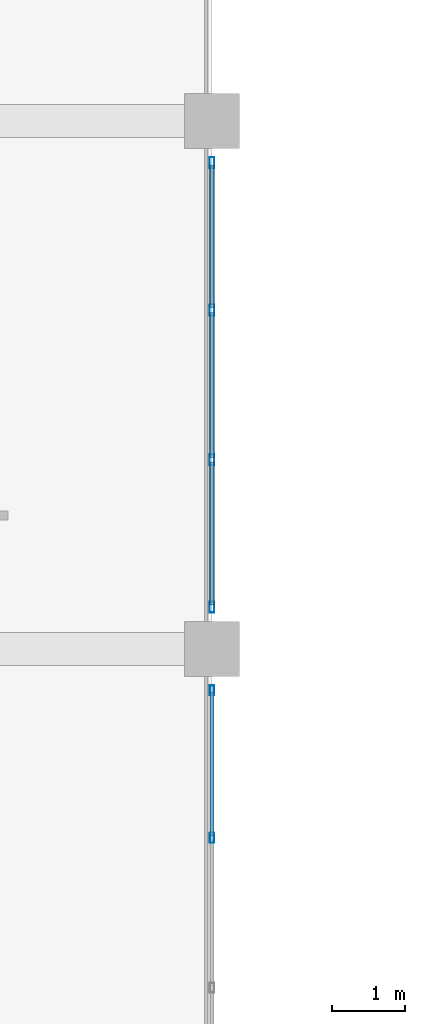
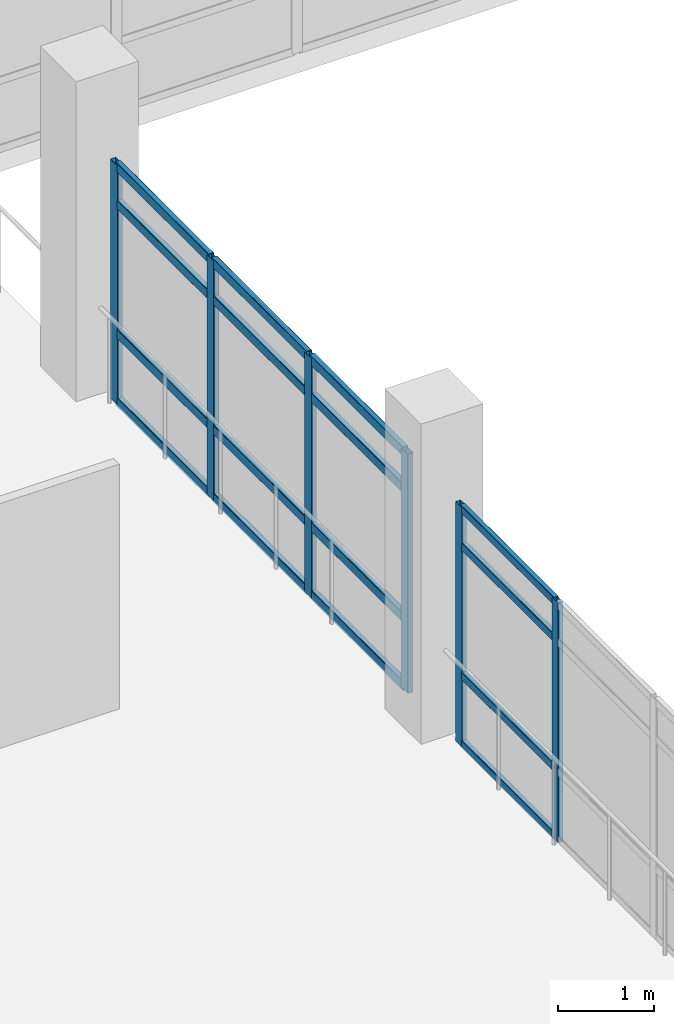
# One storey, part 96 of 180: 22 members, 2 elements without a shape of their own.
"""IFC4 building model written with IfcOpenShell, lengths in metres."""

from ifc_helpers import new_model, si_unit, direction, frame, origin, origin_2d, place, context, subcontext, project, spatial, hollow_rectangle, extrude, material, layer, layer_set, material_profile, profile_set, type_object, element, aggregate, save


model = new_model("IFC4")

# Units and contexts
model_context = context("Model", 3, precision=1e-05, world=origin(), true_north=direction((0.0, 1.0)))
body_context = subcontext(model_context, "Body", "Model", "MODEL_VIEW")
ifc_project = project(units=[si_unit("LENGTHUNIT", "METRE"), si_unit("AREAUNIT", "SQUARE_METRE"), si_unit("VOLUMEUNIT", "CUBIC_METRE"), si_unit("PLANEANGLEUNIT", "RADIAN"), si_unit("MASSUNIT", "GRAM", prefix="KILO")], contexts=[model_context])

# Site, building, storey
site_placement = place(None, origin())
site = spatial("IfcSite", under=ifc_project, at=site_placement, CompositionType="ELEMENT")
building_placement = place(site_placement, origin())
building = spatial("IfcBuilding", under=site, at=building_placement, Name="Asteropetra Specialist Clinic", CompositionType="ELEMENT")
storey_placement = place(building_placement, frame((0.0, 0.0, 4.419921875)))
storey = spatial("IfcBuildingStorey", under=building, at=storey_placement, Name="L01", CompositionType="ELEMENT", Elevation=4.419921875)

# Curtain wall, members
ifc_material_1 = material(Name="Aluminium and low-E glass", Category="aluminium")
ifc_layer_1 = layer(ifc_material_1, 0.14990234375)
ifc_layer_set_1 = layer_set([ifc_layer_1], Name="Aluminium and low-E glass")
curtain_wall_type_1 = type_object("IfcCurtainWallType", Name="CW-SYS-05", PredefinedType="USERDEFINED", material=ifc_layer_set_1)
curtain_wall_1_placement = place(storey_placement, origin())
curtain_wall_1 = element("IfcCurtainWall", 1, at=curtain_wall_1_placement, inside=storey, type_object=curtain_wall_type_1, Name="Curtain Wall CW-029", ObjectType="UNITISED CURTAIN WALL", PredefinedType="USERDEFINED")
ifc_material_2 = material(Name="Aluminium 6063-T6", Category="aluminium")
ifc_material_profile_1 = material_profile(ifc_material_2, hollow_rectangle(XDim=0.06005859375, YDim=0.135009765625, WallThickness=0.00341796875, InnerFilletRadius=0.00341796875, OuterFilletRadius=0.007080078125, at=origin_2d()), Name="MUL 135x60x3.5")
ifc_profile_set_1 = profile_set([ifc_material_profile_1], Name="Aluminium 6063-T6")
member_type_1 = type_object("IfcMemberType", Name="CWM-135x60", PredefinedType="MULLION", material=ifc_profile_set_1)
member_1_placement = place(storey_placement, frame((48.0, 83.43505859375, 0.0), z_axis=(0.0, 0.0, 1.0), x_axis=(1.0, 0.0, 0.0)))
member_1 = element("IfcMember", 2, at=member_1_placement, type_object=member_type_1, Name="CW-029 mullion 1", PredefinedType="MULLION", context=body_context, shape_type="SweptSolid", body=[
    extrude(hollow_rectangle(XDim=0.06005859375, YDim=0.135009765625, WallThickness=0.00341796875, InnerFilletRadius=0.00341796875, OuterFilletRadius=0.007080078125, at=origin_2d()), origin(), (0.0, 0.0, 1.0), 3.050048828125),
])
member_2_placement = place(storey_placement, frame((48.0, 81.421630859375, 0.0), z_axis=(0.0, 0.0, 1.0), x_axis=(1.0, 0.0, 0.0)))
member_2 = element("IfcMember", 3, at=member_2_placement, type_object=member_type_1, Name="CW-029 mullion 2", PredefinedType="MULLION", context=body_context, shape_type="SweptSolid", body=[
    extrude(hollow_rectangle(XDim=0.06005859375, YDim=0.135009765625, WallThickness=0.00341796875, InnerFilletRadius=0.00341796875, OuterFilletRadius=0.007080078125, at=origin_2d()), origin(), (0.0, 0.0, 1.0), 3.050048828125),
])

ifc_material_3 = material(Name="Aluminium and low-E glass", Category="aluminium")
ifc_layer_2 = layer(ifc_material_3, 0.135009765625)
ifc_layer_set_2 = layer_set([ifc_layer_2], Name="Aluminium and low-E glass")
curtain_wall_type_2 = type_object("IfcCurtainWallType", Name="CW-SYS-06", PredefinedType="USERDEFINED", material=ifc_layer_set_2)
curtain_wall_2_placement = place(storey_placement, origin())
curtain_wall_2 = element("IfcCurtainWall", 4, at=curtain_wall_2_placement, inside=storey, type_object=curtain_wall_type_2, Name="Curtain Wall CW-031", ObjectType="UNITISED CURTAIN WALL", PredefinedType="USERDEFINED")
ifc_material_4 = material(Name="Aluminium 6063-T6", Category="aluminium")
ifc_material_profile_2 = material_profile(ifc_material_4, hollow_rectangle(XDim=0.06494140625, YDim=0.14990234375, WallThickness=0.00390625, InnerFilletRadius=0.00390625, OuterFilletRadius=0.008056640625, at=origin_2d()), Name="MUL 150x65x4.0")
ifc_profile_set_2 = profile_set([ifc_material_profile_2], Name="Aluminium 6063-T6")
member_type_2 = type_object("IfcMemberType", Name="CWM-150x65", PredefinedType="MULLION", material=ifc_profile_set_2)
member_3_placement = place(storey_placement, frame((48.0, 90.632568359375, 0.0), z_axis=(0.0, 0.0, 1.0), x_axis=(1.0, 0.0, 0.0)))
member_3 = element("IfcMember", 5, at=member_3_placement, type_object=member_type_2, Name="CW-031 mullion 1", PredefinedType="MULLION", context=body_context, shape_type="SweptSolid", body=[
    extrude(hollow_rectangle(XDim=0.06494140625, YDim=0.14990234375, WallThickness=0.00390625, InnerFilletRadius=0.00390625, OuterFilletRadius=0.008056640625, at=origin_2d()), origin(), (0.0, 0.0, 1.0), 3.050048828125),
])
member_4_placement = place(storey_placement, frame((48.0, 88.62158203125, 0.0), z_axis=(0.0, 0.0, 1.0), x_axis=(1.0, 0.0, 0.0)))
member_4 = element("IfcMember", 6, at=member_4_placement, type_object=member_type_2, Name="CW-031 mullion 2", PredefinedType="MULLION", context=body_context, shape_type="SweptSolid", body=[
    extrude(hollow_rectangle(XDim=0.06494140625, YDim=0.14990234375, WallThickness=0.00390625, InnerFilletRadius=0.00390625, OuterFilletRadius=0.008056640625, at=origin_2d()), origin(), (0.0, 0.0, 1.0), 3.050048828125),
])
member_5_placement = place(storey_placement, frame((48.0, 86.578369140625, 0.0), z_axis=(0.0, 0.0, 1.0), x_axis=(1.0, 0.0, 0.0)))
member_5 = element("IfcMember", 7, at=member_5_placement, type_object=member_type_2, Name="CW-031 mullion 3", PredefinedType="MULLION", context=body_context, shape_type="SweptSolid", body=[
    extrude(hollow_rectangle(XDim=0.06494140625, YDim=0.14990234375, WallThickness=0.00390625, InnerFilletRadius=0.00390625, OuterFilletRadius=0.008056640625, at=origin_2d()), origin(), (0.0, 0.0, 1.0), 3.050048828125),
])
member_6_placement = place(storey_placement, frame((48.0, 84.5673828125, 0.0), z_axis=(0.0, 0.0, 1.0), x_axis=(1.0, 0.0, 0.0)))
member_6 = element("IfcMember", 8, at=member_6_placement, type_object=member_type_2, Name="CW-031 mullion 4", PredefinedType="MULLION", context=body_context, shape_type="SweptSolid", body=[
    extrude(hollow_rectangle(XDim=0.06494140625, YDim=0.14990234375, WallThickness=0.00390625, InnerFilletRadius=0.00390625, OuterFilletRadius=0.008056640625, at=origin_2d()), origin(), (0.0, 0.0, 1.0), 3.050048828125),
])

# Member
ifc_material_5 = material(Name="Aluminium 6063-T6", Category="aluminium")
ifc_material_profile_3 = material_profile(ifc_material_5, hollow_rectangle(XDim=0.06005859375, YDim=0.10009765625, WallThickness=0.00341796875, InnerFilletRadius=0.00341796875, OuterFilletRadius=0.007080078125, at=origin_2d()), Name="TRN 100x60x3.5")
ifc_profile_set_3 = profile_set([ifc_material_profile_3], Name="Aluminium 6063-T6")
member_type_3 = type_object("IfcMemberType", Name="CWT-100x60", PredefinedType="USERDEFINED", material=ifc_profile_set_3)
member_7_placement = place(storey_placement, frame((48.0, 83.405029296875, 0.030029296875), z_axis=(0.0, -1.0, 0.0), x_axis=(1.0, 0.0, 0.0)))
member_7 = element("IfcMember", 9, at=member_7_placement, type_object=member_type_3, Name="CW-029 transom 1.1", ObjectType="TRANSOM", PredefinedType="USERDEFINED", context=body_context, shape_type="SweptSolid", body=[
    extrude(hollow_rectangle(XDim=0.06005859375, YDim=0.10009765625, WallThickness=0.00341796875, InnerFilletRadius=0.00341796875, OuterFilletRadius=0.007080078125, at=origin_2d()), origin(), (0.0, 0.0, 1.0), 1.953369140625),
])

member_8_placement = place(storey_placement, frame((48.0, 83.405029296875, 0.900146484375), z_axis=(0.0, -1.0, 0.0), x_axis=(1.0, 0.0, 0.0)))
member_8 = element("IfcMember", 10, at=member_8_placement, type_object=member_type_3, Name="CW-029 transom 1.2", ObjectType="TRANSOM", PredefinedType="USERDEFINED", context=body_context, shape_type="SweptSolid", body=[
    extrude(hollow_rectangle(XDim=0.06005859375, YDim=0.10009765625, WallThickness=0.00341796875, InnerFilletRadius=0.00341796875, OuterFilletRadius=0.007080078125, at=origin_2d()), origin(), (0.0, 0.0, 1.0), 1.953369140625),
])

member_9_placement = place(storey_placement, frame((48.0, 83.405029296875, 2.550048828125), z_axis=(0.0, -1.0, 0.0), x_axis=(1.0, 0.0, 0.0)))
member_9 = element("IfcMember", 11, at=member_9_placement, type_object=member_type_3, Name="CW-029 transom 1.3", ObjectType="TRANSOM", PredefinedType="USERDEFINED", context=body_context, shape_type="SweptSolid", body=[
    extrude(hollow_rectangle(XDim=0.06005859375, YDim=0.10009765625, WallThickness=0.00341796875, InnerFilletRadius=0.00341796875, OuterFilletRadius=0.007080078125, at=origin_2d()), origin(), (0.0, 0.0, 1.0), 1.953369140625),
])

member_10_placement = place(storey_placement, frame((48.0, 83.405029296875, 3.02001953125), z_axis=(0.0, -1.0, 0.0), x_axis=(1.0, 0.0, 0.0)))
member_10 = element("IfcMember", 12, at=member_10_placement, type_object=member_type_3, Name="CW-029 transom 1.4", ObjectType="TRANSOM", PredefinedType="USERDEFINED", context=body_context, shape_type="SweptSolid", body=[
    extrude(hollow_rectangle(XDim=0.06005859375, YDim=0.10009765625, WallThickness=0.00341796875, InnerFilletRadius=0.00341796875, OuterFilletRadius=0.007080078125, at=origin_2d()), origin(), (0.0, 0.0, 1.0), 1.953369140625),
])

aggregate(curtain_wall_1, [member_1, member_2, member_7, member_8, member_9, member_10])

ifc_material_6 = material(Name="Aluminium 6063-T6", Category="aluminium")
ifc_material_profile_4 = material_profile(ifc_material_6, hollow_rectangle(XDim=0.06494140625, YDim=0.1201171875, WallThickness=0.00390625, InnerFilletRadius=0.00390625, OuterFilletRadius=0.008056640625, at=origin_2d()), Name="TRN 120x65x4.0")
ifc_profile_set_4 = profile_set([ifc_material_profile_4], Name="Aluminium 6063-T6")
member_type_4 = type_object("IfcMemberType", Name="CWT-120x65", PredefinedType="USERDEFINED", material=ifc_profile_set_4)
member_11_placement = place(storey_placement, frame((48.0, 90.60009765625, 0.032470703125), z_axis=(0.0, -1.0, 0.0), x_axis=(1.0, 0.0, 0.0)))
member_11 = element("IfcMember", 13, at=member_11_placement, type_object=member_type_4, Name="CW-031 transom 1.1", ObjectType="TRANSOM", PredefinedType="USERDEFINED", context=body_context, shape_type="SweptSolid", body=[
    extrude(hollow_rectangle(XDim=0.06494140625, YDim=0.1201171875, WallThickness=0.00390625, InnerFilletRadius=0.00390625, OuterFilletRadius=0.008056640625, at=origin_2d()), origin(), (0.0, 0.0, 1.0), 1.946044921875),
])

member_12_placement = place(storey_placement, frame((48.0, 90.60009765625, 0.900146484375), z_axis=(0.0, -1.0, 0.0), x_axis=(1.0, 0.0, 0.0)))
member_12 = element("IfcMember", 14, at=member_12_placement, type_object=member_type_4, Name="CW-031 transom 1.2", ObjectType="TRANSOM", PredefinedType="USERDEFINED", context=body_context, shape_type="SweptSolid", body=[
    extrude(hollow_rectangle(XDim=0.06494140625, YDim=0.1201171875, WallThickness=0.00390625, InnerFilletRadius=0.00390625, OuterFilletRadius=0.008056640625, at=origin_2d()), origin(), (0.0, 0.0, 1.0), 1.946044921875),
])

member_13_placement = place(storey_placement, frame((48.0, 90.60009765625, 2.550048828125), z_axis=(0.0, -1.0, 0.0), x_axis=(1.0, 0.0, 0.0)))
member_13 = element("IfcMember", 15, at=member_13_placement, type_object=member_type_4, Name="CW-031 transom 1.3", ObjectType="TRANSOM", PredefinedType="USERDEFINED", context=body_context, shape_type="SweptSolid", body=[
    extrude(hollow_rectangle(XDim=0.06494140625, YDim=0.1201171875, WallThickness=0.00390625, InnerFilletRadius=0.00390625, OuterFilletRadius=0.008056640625, at=origin_2d()), origin(), (0.0, 0.0, 1.0), 1.946044921875),
])

member_14_placement = place(storey_placement, frame((48.0, 90.60009765625, 3.017578125), z_axis=(0.0, -1.0, 0.0), x_axis=(1.0, 0.0, 0.0)))
member_14 = element("IfcMember", 16, at=member_14_placement, type_object=member_type_4, Name="CW-031 transom 1.4", ObjectType="TRANSOM", PredefinedType="USERDEFINED", context=body_context, shape_type="SweptSolid", body=[
    extrude(hollow_rectangle(XDim=0.06494140625, YDim=0.1201171875, WallThickness=0.00390625, InnerFilletRadius=0.00390625, OuterFilletRadius=0.008056640625, at=origin_2d()), origin(), (0.0, 0.0, 1.0), 1.946044921875),
])

member_15_placement = place(storey_placement, frame((48.0, 88.589111328125, 0.032470703125), z_axis=(0.0, -1.0, 0.0), x_axis=(1.0, 0.0, 0.0)))
member_15 = element("IfcMember", 17, at=member_15_placement, type_object=member_type_4, Name="CW-031 transom 2.1", ObjectType="TRANSOM", PredefinedType="USERDEFINED", context=body_context, shape_type="SweptSolid", body=[
    extrude(hollow_rectangle(XDim=0.06494140625, YDim=0.1201171875, WallThickness=0.00390625, InnerFilletRadius=0.00390625, OuterFilletRadius=0.008056640625, at=origin_2d()), origin(), (0.0, 0.0, 1.0), 1.978271484375),
])

member_16_placement = place(storey_placement, frame((48.0, 88.589111328125, 0.900146484375), z_axis=(0.0, -1.0, 0.0), x_axis=(1.0, 0.0, 0.0)))
member_16 = element("IfcMember", 18, at=member_16_placement, type_object=member_type_4, Name="CW-031 transom 2.2", ObjectType="TRANSOM", PredefinedType="USERDEFINED", context=body_context, shape_type="SweptSolid", body=[
    extrude(hollow_rectangle(XDim=0.06494140625, YDim=0.1201171875, WallThickness=0.00390625, InnerFilletRadius=0.00390625, OuterFilletRadius=0.008056640625, at=origin_2d()), origin(), (0.0, 0.0, 1.0), 1.978271484375),
])

member_17_placement = place(storey_placement, frame((48.0, 88.589111328125, 2.550048828125), z_axis=(0.0, -1.0, 0.0), x_axis=(1.0, 0.0, 0.0)))
member_17 = element("IfcMember", 19, at=member_17_placement, type_object=member_type_4, Name="CW-031 transom 2.3", ObjectType="TRANSOM", PredefinedType="USERDEFINED", context=body_context, shape_type="SweptSolid", body=[
    extrude(hollow_rectangle(XDim=0.06494140625, YDim=0.1201171875, WallThickness=0.00390625, InnerFilletRadius=0.00390625, OuterFilletRadius=0.008056640625, at=origin_2d()), origin(), (0.0, 0.0, 1.0), 1.978271484375),
])

member_18_placement = place(storey_placement, frame((48.0, 88.589111328125, 3.017578125), z_axis=(0.0, -1.0, 0.0), x_axis=(1.0, 0.0, 0.0)))
member_18 = element("IfcMember", 20, at=member_18_placement, type_object=member_type_4, Name="CW-031 transom 2.4", ObjectType="TRANSOM", PredefinedType="USERDEFINED", context=body_context, shape_type="SweptSolid", body=[
    extrude(hollow_rectangle(XDim=0.06494140625, YDim=0.1201171875, WallThickness=0.00390625, InnerFilletRadius=0.00390625, OuterFilletRadius=0.008056640625, at=origin_2d()), origin(), (0.0, 0.0, 1.0), 1.978271484375),
])

member_19_placement = place(storey_placement, frame((48.0, 86.5458984375, 0.032470703125), z_axis=(0.0, -1.0, 0.0), x_axis=(1.0, 0.0, 0.0)))
member_19 = element("IfcMember", 21, at=member_19_placement, type_object=member_type_4, Name="CW-031 transom 3.1", ObjectType="TRANSOM", PredefinedType="USERDEFINED", context=body_context, shape_type="SweptSolid", body=[
    extrude(hollow_rectangle(XDim=0.06494140625, YDim=0.1201171875, WallThickness=0.00390625, InnerFilletRadius=0.00390625, OuterFilletRadius=0.008056640625, at=origin_2d()), origin(), (0.0, 0.0, 1.0), 1.94580078125),
])

member_20_placement = place(storey_placement, frame((48.0, 86.5458984375, 0.900146484375), z_axis=(0.0, -1.0, 0.0), x_axis=(1.0, 0.0, 0.0)))
member_20 = element("IfcMember", 22, at=member_20_placement, type_object=member_type_4, Name="CW-031 transom 3.2", ObjectType="TRANSOM", PredefinedType="USERDEFINED", context=body_context, shape_type="SweptSolid", body=[
    extrude(hollow_rectangle(XDim=0.06494140625, YDim=0.1201171875, WallThickness=0.00390625, InnerFilletRadius=0.00390625, OuterFilletRadius=0.008056640625, at=origin_2d()), origin(), (0.0, 0.0, 1.0), 1.94580078125),
])

member_21_placement = place(storey_placement, frame((48.0, 86.5458984375, 2.550048828125), z_axis=(0.0, -1.0, 0.0), x_axis=(1.0, 0.0, 0.0)))
member_21 = element("IfcMember", 23, at=member_21_placement, type_object=member_type_4, Name="CW-031 transom 3.3", ObjectType="TRANSOM", PredefinedType="USERDEFINED", context=body_context, shape_type="SweptSolid", body=[
    extrude(hollow_rectangle(XDim=0.06494140625, YDim=0.1201171875, WallThickness=0.00390625, InnerFilletRadius=0.00390625, OuterFilletRadius=0.008056640625, at=origin_2d()), origin(), (0.0, 0.0, 1.0), 1.94580078125),
])

member_22_placement = place(storey_placement, frame((48.0, 86.5458984375, 3.017578125), z_axis=(0.0, -1.0, 0.0), x_axis=(1.0, 0.0, 0.0)))
member_22 = element("IfcMember", 24, at=member_22_placement, type_object=member_type_4, Name="CW-031 transom 3.4", ObjectType="TRANSOM", PredefinedType="USERDEFINED", context=body_context, shape_type="SweptSolid", body=[
    extrude(hollow_rectangle(XDim=0.06494140625, YDim=0.1201171875, WallThickness=0.00390625, InnerFilletRadius=0.00390625, OuterFilletRadius=0.008056640625, at=origin_2d()), origin(), (0.0, 0.0, 1.0), 1.94580078125),
])

aggregate(curtain_wall_2, [member_3, member_4, member_5, member_6, member_11, member_12, member_13, member_14, member_15, member_16, member_17, member_18, member_19, member_20, member_21, member_22])

save(model, "model.ifc")
